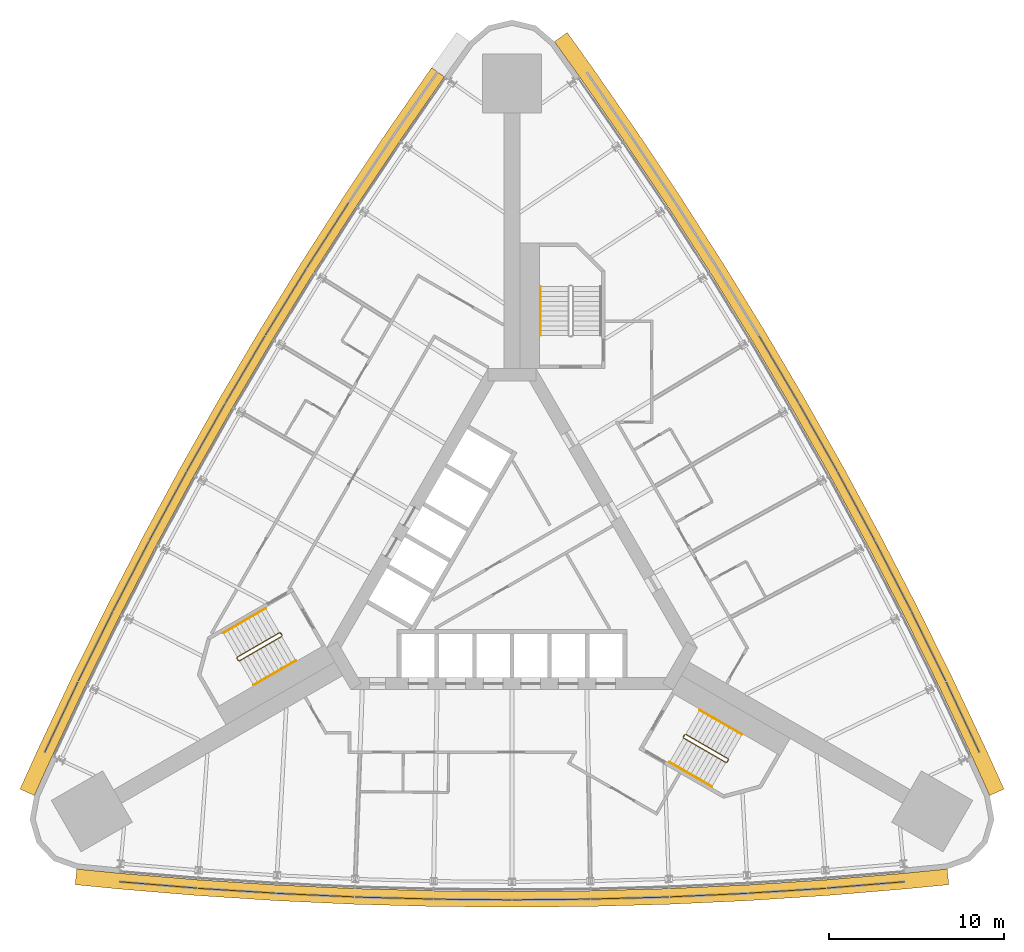
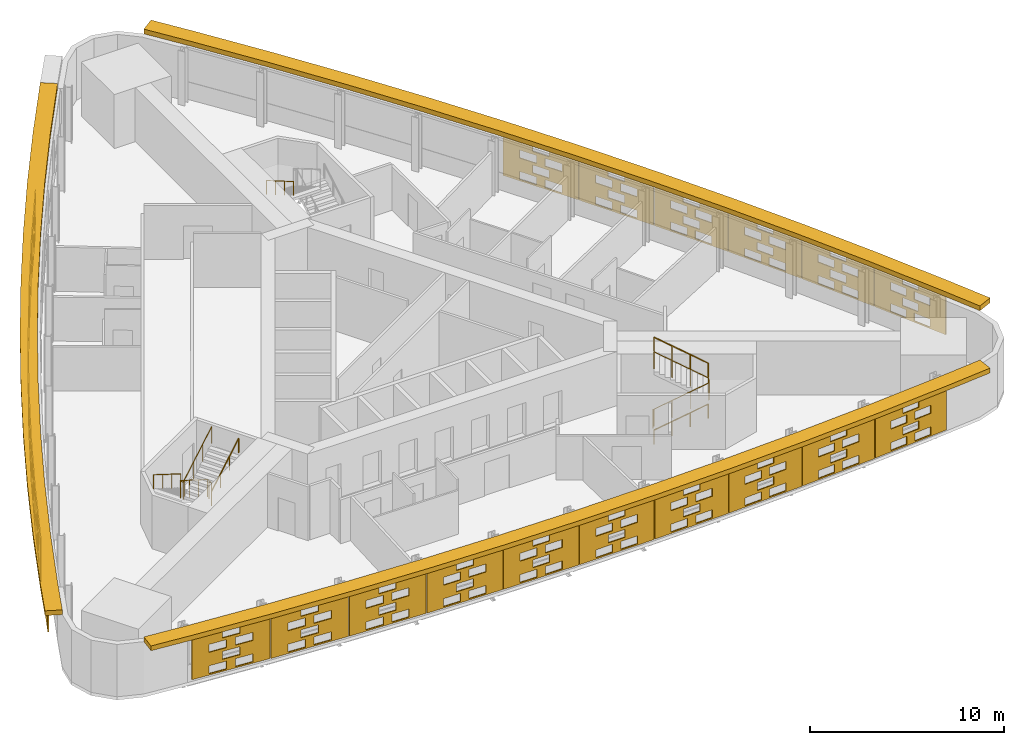
# One storey, part 14 of 15: 27 shading devices, 7 railings.
"""IFC4 building model written with IfcOpenShell, lengths in metres."""

from ifc_helpers import new_model, si_unit, direction, frame, origin, origin_2d, place, context, subcontext, project, spatial, polyline, circle, outline, extrude, material, material_profile, profile_set, type_object, element, save


model = new_model("IFC4")

# Units and contexts
model_context = context("Model", 3, precision=1e-05, world=origin(), true_north=direction((0.0, 1.0)))
body_context = subcontext(model_context, "Body", "Model", "MODEL_VIEW")
ifc_project = project(units=[si_unit("LENGTHUNIT", "METRE"), si_unit("AREAUNIT", "SQUARE_METRE"), si_unit("VOLUMEUNIT", "CUBIC_METRE"), si_unit("PLANEANGLEUNIT", "RADIAN"), si_unit("MASSUNIT", "GRAM", prefix="KILO")], contexts=[model_context])

# Site, building, storey
site_placement = place(None, origin())
site = spatial("IfcSite", under=ifc_project, at=site_placement, CompositionType="ELEMENT")
building_placement = place(site_placement, origin())
building = spatial("IfcBuilding", under=site, at=building_placement, Name="Noor Cloister Tower", CompositionType="ELEMENT")
storey_placement = place(building_placement, frame((0.0, 0.0, 31.199951171875)))
storey = spatial("IfcBuildingStorey", under=building, at=storey_placement, Name="L07", CompositionType="ELEMENT", Elevation=31.199951171875)

# Shading devices
ifc_material_1 = material(Name="Limestone", Category="masonry")
ifc_material_profile = material_profile(ifc_material_1, outline(polyline([(-2.22998046875, -1.35009765625), (2.22998046875, -1.35009765625), (2.22998046875, 1.35009765625), (-2.22998046875, 1.35009765625), (-2.22998046875, -1.35009765625)]), holes=[polyline([(-1.25, -1.263427734375), (-0.25, -1.263427734375), (-0.25, -0.76171875), (-1.25, -0.76171875), (-1.25, -1.263427734375)]), polyline([(0.25, -1.263427734375), (1.25, -1.263427734375), (1.25, -0.76171875), (0.25, -0.76171875), (0.25, -1.263427734375)]), polyline([(-0.5, -0.58837890625), (0.5, -0.58837890625), (0.5, -0.086669921875), (-0.5, -0.086669921875), (-0.5, -0.58837890625)]), polyline([(-1.25, 0.086669921875), (-0.25, 0.086669921875), (-0.25, 0.58837890625), (-1.25, 0.58837890625), (-1.25, 0.086669921875)]), polyline([(0.25, 0.086669921875), (1.25, 0.086669921875), (1.25, 0.58837890625), (0.25, 0.58837890625), (0.25, 0.086669921875)]), polyline([(-0.5, 0.76171875), (0.5, 0.76171875), (0.5, 1.263427734375), (-0.5, 1.263427734375), (-0.5, 0.76171875)])]), Name="Woven screen 25 percent open")
ifc_profile_set = profile_set([ifc_material_profile], Name="Limestone")
shading_device_type_1 = type_object("IfcShadingDeviceType", Name="SCREEN woven limestone 25 percent open", PredefinedType="USERDEFINED", material=ifc_profile_set)
for number, where, z_axis, x_axis, name in (
    (1, (-10.528076171875, 19.087646484375, 1.85009765625), (-0.841310503427, 0.540552159207, 0.0), (-0.540552159207, -0.841310503427, 0.0), "SCREEN L07 3"),
    (2, (-12.92529296875, 15.269775390625, 1.85009765625), (-0.852075986308, 0.523418105875, 0.0), (-0.523418105875, -0.852075986308, 0.0), "SCREEN L07 4"),
    (3, (-15.25146484375, 11.408203125, 1.85009765625), (-0.86141148773, 0.507907716822, 0.0), (-0.507907716822, -0.86141148773, 0.0), "SCREEN L07 5"),
    (4, (-17.505615234375, 7.504150390625, 1.85009765625), (-0.87048706901, 0.492191286683, 0.0), (-0.492191286683, -0.87048706901, 0.0), "SCREEN L07 6"),
    (5, (-19.686767578125, 3.558837890625, 1.85009765625), (-0.879291966537, 0.476283148541, 0.0), (-0.476283148541, -0.879291966537, 0.0), "SCREEN L07 7"),
    (6, (-21.79443359375, -0.42626953125, 1.85009765625), (-0.887816162103, 0.460198285861, 0.0), (-0.460198285861, -0.887816162103, 0.0), "SCREEN L07 8"),
    (7, (-23.827880859375, -4.44970703125, 1.85009765625), (-0.896050438544, 0.443952262733, 0.0), (-0.443952262733, -0.896050438544, 0.0), "SCREEN L07 9"),
    (8, (-25.7861328125, -8.51025390625, 1.85009765625), (-0.90398642908, 0.427561148889, 0.0), (-0.427561148889, -0.90398642908, 0.0), "SCREEN L07 10"),
    (9, (-20.26318359375, -18.076416015625, 1.85009765625), (-0.081362009455, -0.996684615823, 0.0), (0.996684615823, -0.081362009455, 0.0), "SCREEN L07 1"),
):
    element("IfcShadingDevice", number, at=place(storey_placement, frame(where, z_axis=z_axis, x_axis=x_axis)), inside=storey, type_object=shading_device_type_1, Name=name, ObjectType="SCREEN", PredefinedType="USERDEFINED", context=body_context, shape_type="SweptSolid", body=[
        extrude(outline(polyline([(-2.22998046875, -1.35009765625), (2.22998046875, -1.35009765625), (2.22998046875, 1.35009765625), (-2.22998046875, 1.35009765625), (-2.22998046875, -1.35009765625)]), holes=[polyline([(-1.25, -1.263427734375), (-0.25, -1.263427734375), (-0.25, -0.76171875), (-1.25, -0.76171875), (-1.25, -1.263427734375)]), polyline([(0.25, -1.263427734375), (1.25, -1.263427734375), (1.25, -0.76171875), (0.25, -0.76171875), (0.25, -1.263427734375)]), polyline([(-0.5, -0.58837890625), (0.5, -0.58837890625), (0.5, -0.086669921875), (-0.5, -0.086669921875), (-0.5, -0.58837890625)]), polyline([(-1.25, 0.086669921875), (-0.25, 0.086669921875), (-0.25, 0.58837890625), (-1.25, 0.58837890625), (-1.25, 0.086669921875)]), polyline([(0.25, 0.086669921875), (1.25, 0.086669921875), (1.25, 0.58837890625), (0.25, 0.58837890625), (0.25, 0.086669921875)]), polyline([(-0.5, 0.76171875), (0.5, 0.76171875), (0.5, 1.263427734375), (-0.5, 1.263427734375), (-0.5, 0.76171875)])]), origin(), (0.0, 0.0, 1.0), 0.06005859375),
    ])
shading_device_1_placement = place(storey_placement, frame((-15.767578125, -18.41064453125, 1.85009765625), z_axis=(-0.06111006328, -0.998131033565, 0.0), x_axis=(0.998131033565, -0.06111006328, 0.0)))
element("IfcShadingDevice", 10, at=shading_device_1_placement, inside=storey, type_object=shading_device_type_1, Name="SCREEN L07 2", ObjectType="SCREEN", PredefinedType="USERDEFINED", context=body_context, shape_type="SweptSolid", body=[
    extrude(outline(polyline([(-2.22998046875, -1.35009765625), (2.22998046875, -1.35009765625), (2.22998046875, 1.35009765625), (-2.22998046875, 1.35009765625), (-2.22998046875, -1.35009765625)]), holes=[polyline([(-1.25, -1.263427734375), (-0.25, -1.263427734375), (-0.25, -0.76171875), (-1.25, -0.76171875), (-1.25, -1.263427734375)]), polyline([(0.25, -1.263427734375), (1.25, -1.263427734375), (1.25, -0.76171875), (0.25, -0.76171875), (0.25, -1.263427734375)]), polyline([(-0.5, -0.58837890625), (0.5, -0.58837890625), (0.5, -0.086669921875), (-0.5, -0.086669921875), (-0.5, -0.58837890625)]), polyline([(-1.25, 0.086669921875), (-0.25, 0.086669921875), (-0.25, 0.58837890625), (-1.25, 0.58837890625), (-1.25, 0.086669921875)]), polyline([(0.25, 0.086669921875), (1.25, 0.086669921875), (1.25, 0.58837890625), (0.25, 0.58837890625), (0.25, 0.086669921875)]), polyline([(-0.5, 0.76171875), (0.5, 0.76171875), (0.5, 1.263427734375), (-0.5, 1.263427734375), (-0.5, 0.76171875)])]), origin(), (0.0, 0.0, 1.0), 0.059814453125),
])
for number, where, z_axis, x_axis, name in (
    (11, (-11.266357421875, -18.661376953125, 1.85009765625), (-0.044670810456, -0.999001761106, 0.0), (0.999001761106, -0.044670810456, 0.0), "SCREEN L07 3"),
    (12, (-6.761474609375, -18.82861328125, 1.85009765625), (-0.024382992455, -0.999702690643, 0.0), (0.999702690643, -0.024382992455, 0.0), "SCREEN L07 4"),
):
    element("IfcShadingDevice", number, at=place(storey_placement, frame(where, z_axis=z_axis, x_axis=x_axis)), inside=storey, type_object=shading_device_type_1, Name=name, ObjectType="SCREEN", PredefinedType="USERDEFINED", context=body_context, shape_type="SweptSolid", body=[
        extrude(outline(polyline([(-2.22998046875, -1.35009765625), (2.22998046875, -1.35009765625), (2.22998046875, 1.35009765625), (-2.22998046875, 1.35009765625), (-2.22998046875, -1.35009765625)]), holes=[polyline([(-1.25, -1.263427734375), (-0.25, -1.263427734375), (-0.25, -0.76171875), (-1.25, -0.76171875), (-1.25, -1.263427734375)]), polyline([(0.25, -1.263427734375), (1.25, -1.263427734375), (1.25, -0.76171875), (0.25, -0.76171875), (0.25, -1.263427734375)]), polyline([(-0.5, -0.58837890625), (0.5, -0.58837890625), (0.5, -0.086669921875), (-0.5, -0.086669921875), (-0.5, -0.58837890625)]), polyline([(-1.25, 0.086669921875), (-0.25, 0.086669921875), (-0.25, 0.58837890625), (-1.25, 0.58837890625), (-1.25, 0.086669921875)]), polyline([(0.25, 0.086669921875), (1.25, 0.086669921875), (1.25, 0.58837890625), (0.25, 0.58837890625), (0.25, 0.086669921875)]), polyline([(-0.5, 0.76171875), (0.5, 0.76171875), (0.5, 1.263427734375), (-0.5, 1.263427734375), (-0.5, 0.76171875)])]), origin(), (0.0, 0.0, 1.0), 0.06005859375),
    ])
for number, where, z_axis, x_axis, name in (
    (13, (-2.254150390625, -18.912353515625, 1.85009765625), (-0.008162993324, -0.999966682215, 0.0), (0.999966682215, -0.008162993324, 0.0), "SCREEN L07 5"),
    (14, (2.254150390625, -18.912353515625, 1.85009765625), (0.008162993324, -0.999966682215, 0.0), (0.999966682215, 0.008162993324, 0.0), "SCREEN L07 6"),
):
    element("IfcShadingDevice", number, at=place(storey_placement, frame(where, z_axis=z_axis, x_axis=x_axis)), inside=storey, type_object=shading_device_type_1, Name=name, ObjectType="SCREEN", PredefinedType="USERDEFINED", context=body_context, shape_type="SweptSolid", body=[
        extrude(outline(polyline([(-2.22998046875, -1.35009765625), (2.22998046875, -1.35009765625), (2.22998046875, 1.35009765625), (-2.22998046875, 1.35009765625), (-2.22998046875, -1.35009765625)]), holes=[polyline([(-1.25, -1.263427734375), (-0.25, -1.263427734375), (-0.25, -0.76171875), (-1.25, -0.76171875), (-1.25, -1.263427734375)]), polyline([(0.25, -1.263427734375), (1.25, -1.263427734375), (1.25, -0.76171875), (0.25, -0.76171875), (0.25, -1.263427734375)]), polyline([(-0.5, -0.58837890625), (0.5, -0.58837890625), (0.5, -0.086669921875), (-0.5, -0.086669921875), (-0.5, -0.58837890625)]), polyline([(-1.25, 0.086669921875), (-0.25, 0.086669921875), (-0.25, 0.58837890625), (-1.25, 0.58837890625), (-1.25, 0.086669921875)]), polyline([(0.25, 0.086669921875), (1.25, 0.086669921875), (1.25, 0.58837890625), (0.25, 0.58837890625), (0.25, 0.086669921875)]), polyline([(-0.5, 0.76171875), (0.5, 0.76171875), (0.5, 1.263427734375), (-0.5, 1.263427734375), (-0.5, 0.76171875)])]), origin(), (0.0, 0.0, 1.0), 0.059814453125),
    ])
for number, where, z_axis, x_axis, name in (
    (15, (6.761474609375, -18.82861328125, 1.85009765625), (0.024382992455, -0.999702690643, 0.0), (0.999702690643, 0.024382992455, 0.0), "SCREEN L07 7"),
    (16, (11.266357421875, -18.661376953125, 1.85009765625), (0.044670810456, -0.999001761106, 0.0), (0.999001761106, 0.044670810456, 0.0), "SCREEN L07 8"),
):
    element("IfcShadingDevice", number, at=place(storey_placement, frame(where, z_axis=z_axis, x_axis=x_axis)), inside=storey, type_object=shading_device_type_1, Name=name, ObjectType="SCREEN", PredefinedType="USERDEFINED", context=body_context, shape_type="SweptSolid", body=[
        extrude(outline(polyline([(-2.22998046875, -1.35009765625), (2.22998046875, -1.35009765625), (2.22998046875, 1.35009765625), (-2.22998046875, 1.35009765625), (-2.22998046875, -1.35009765625)]), holes=[polyline([(-1.25, -1.263427734375), (-0.25, -1.263427734375), (-0.25, -0.76171875), (-1.25, -0.76171875), (-1.25, -1.263427734375)]), polyline([(0.25, -1.263427734375), (1.25, -1.263427734375), (1.25, -0.76171875), (0.25, -0.76171875), (0.25, -1.263427734375)]), polyline([(-0.5, -0.58837890625), (0.5, -0.58837890625), (0.5, -0.086669921875), (-0.5, -0.086669921875), (-0.5, -0.58837890625)]), polyline([(-1.25, 0.086669921875), (-0.25, 0.086669921875), (-0.25, 0.58837890625), (-1.25, 0.58837890625), (-1.25, 0.086669921875)]), polyline([(0.25, 0.086669921875), (1.25, 0.086669921875), (1.25, 0.58837890625), (0.25, 0.58837890625), (0.25, 0.086669921875)]), polyline([(-0.5, 0.76171875), (0.5, 0.76171875), (0.5, 1.263427734375), (-0.5, 1.263427734375), (-0.5, 0.76171875)])]), origin(), (0.0, 0.0, 1.0), 0.06005859375),
    ])
shading_device_2_placement = place(storey_placement, frame((15.767578125, -18.41064453125, 1.85009765625), z_axis=(0.06111006328, -0.998131033565, 0.0), x_axis=(0.998131033565, 0.06111006328, 0.0)))
element("IfcShadingDevice", 17, at=shading_device_2_placement, inside=storey, type_object=shading_device_type_1, Name="SCREEN L07 9", ObjectType="SCREEN", PredefinedType="USERDEFINED", context=body_context, shape_type="SweptSolid", body=[
    extrude(outline(polyline([(-2.22998046875, -1.35009765625), (2.22998046875, -1.35009765625), (2.22998046875, 1.35009765625), (-2.22998046875, 1.35009765625), (-2.22998046875, -1.35009765625)]), holes=[polyline([(-1.25, -1.263427734375), (-0.25, -1.263427734375), (-0.25, -0.76171875), (-1.25, -0.76171875), (-1.25, -1.263427734375)]), polyline([(0.25, -1.263427734375), (1.25, -1.263427734375), (1.25, -0.76171875), (0.25, -0.76171875), (0.25, -1.263427734375)]), polyline([(-0.5, -0.58837890625), (0.5, -0.58837890625), (0.5, -0.086669921875), (-0.5, -0.086669921875), (-0.5, -0.58837890625)]), polyline([(-1.25, 0.086669921875), (-0.25, 0.086669921875), (-0.25, 0.58837890625), (-1.25, 0.58837890625), (-1.25, 0.086669921875)]), polyline([(0.25, 0.086669921875), (1.25, 0.086669921875), (1.25, 0.58837890625), (0.25, 0.58837890625), (0.25, 0.086669921875)]), polyline([(-0.5, 0.76171875), (0.5, 0.76171875), (0.5, 1.263427734375), (-0.5, 1.263427734375), (-0.5, 0.76171875)])]), origin(), (0.0, 0.0, 1.0), 0.059814453125),
])
for number, where, z_axis, x_axis, name in (
    (18, (20.26318359375, -18.076416015625, 1.85009765625), (0.081362009455, -0.996684615823, 0.0), (0.996684615823, 0.081362009455, 0.0), "SCREEN L07 10"),
    (19, (25.7861328125, -8.51025390625, 1.85009765625), (0.90398642908, 0.427561148889, 0.0), (-0.427561148889, 0.90398642908, 0.0), "SCREEN L07 1"),
    (20, (23.827880859375, -4.44970703125, 1.85009765625), (0.896050438544, 0.443952262733, 0.0), (-0.443952262733, 0.896050438544, 0.0), "SCREEN L07 2"),
    (21, (21.79443359375, -0.42626953125, 1.85009765625), (0.887816162103, 0.460198285861, 0.0), (-0.460198285861, 0.887816162103, 0.0), "SCREEN L07 3"),
    (22, (19.686767578125, 3.558837890625, 1.85009765625), (0.879291966537, 0.476283148541, 0.0), (-0.476283148541, 0.879291966537, 0.0), "SCREEN L07 4"),
    (23, (17.505615234375, 7.504150390625, 1.85009765625), (0.87048706901, 0.492191286683, 0.0), (-0.492191286683, 0.87048706901, 0.0), "SCREEN L07 5"),
    (24, (15.25146484375, 11.408203125, 1.85009765625), (0.86141148773, 0.507907716822, 0.0), (-0.507907716822, 0.86141148773, 0.0), "SCREEN L07 6"),
):
    element("IfcShadingDevice", number, at=place(storey_placement, frame(where, z_axis=z_axis, x_axis=x_axis)), inside=storey, type_object=shading_device_type_1, Name=name, ObjectType="SCREEN", PredefinedType="USERDEFINED", context=body_context, shape_type="SweptSolid", body=[
        extrude(outline(polyline([(-2.22998046875, -1.35009765625), (2.22998046875, -1.35009765625), (2.22998046875, 1.35009765625), (-2.22998046875, 1.35009765625), (-2.22998046875, -1.35009765625)]), holes=[polyline([(-1.25, -1.263427734375), (-0.25, -1.263427734375), (-0.25, -0.76171875), (-1.25, -0.76171875), (-1.25, -1.263427734375)]), polyline([(0.25, -1.263427734375), (1.25, -1.263427734375), (1.25, -0.76171875), (0.25, -0.76171875), (0.25, -1.263427734375)]), polyline([(-0.5, -0.58837890625), (0.5, -0.58837890625), (0.5, -0.086669921875), (-0.5, -0.086669921875), (-0.5, -0.58837890625)]), polyline([(-1.25, 0.086669921875), (-0.25, 0.086669921875), (-0.25, 0.58837890625), (-1.25, 0.58837890625), (-1.25, 0.086669921875)]), polyline([(0.25, 0.086669921875), (1.25, 0.086669921875), (1.25, 0.58837890625), (0.25, 0.58837890625), (0.25, 0.086669921875)]), polyline([(-0.5, 0.76171875), (0.5, 0.76171875), (0.5, 1.263427734375), (-0.5, 1.263427734375), (-0.5, 0.76171875)])]), origin(), (0.0, 0.0, 1.0), 0.06005859375),
    ])
ifc_material_2 = material(Name="Limestone", Category="masonry")
shading_device_type_2 = type_object("IfcShadingDeviceType", Name="SUNSHADE limestone band 900", PredefinedType="USERDEFINED", material=ifc_material_2)
shading_device_3_placement = place(storey_placement, frame((0.0, 0.0, 3.300048828125)))
element("IfcShadingDevice", 25, at=shading_device_3_placement, inside=storey, type_object=shading_device_type_2, Name="SUNSHADE L07 1", ObjectType="SUNSHADE", PredefinedType="USERDEFINED", context=body_context, shape_type="SweptSolid", body=[
    extrude(outline(polyline([(-4.60888671875, 28.691162109375), (-7.180908203125, 24.988525390625), (-9.688232421875, 21.231689453125), (-12.12548828125, 17.42919921875), (-14.491943359375, 13.58203125), (-16.786376953125, 9.691650390625), (-19.00830078125, 5.75927734375), (-21.156982421875, 1.786376953125), (-23.2314453125, -2.2255859375), (-25.231201171875, -6.275390625), (-27.154541015625, -10.35986328125), (-28.178466796875, -12.617919921875), (-27.35888671875, -12.989501953125), (-26.337646484375, -10.737548828125), (-24.42041015625, -6.66650390625), (-22.42822265625, -2.631591796875), (-20.361328125, 1.36572265625), (-18.220703125, 5.32373046875), (-16.0068359375, 9.24169921875), (-13.720947265625, 13.11767578125), (-11.36328125, 16.950439453125), (-8.93505859375, 20.739013671875), (-6.43701171875, 24.48193359375), (-3.869873046875, 28.177734375), (-4.60888671875, 28.691162109375)])), origin(), (0.0, 0.0, 1.0), 0.300048828125),
])
shading_device_4_placement = place(storey_placement, frame((0.0, 0.0, 3.300048828125)))
element("IfcShadingDevice", 26, at=shading_device_4_placement, inside=storey, type_object=shading_device_type_2, Name="SUNSHADE L07 2", ObjectType="SUNSHADE", PredefinedType="USERDEFINED", context=body_context, shape_type="SweptSolid", body=[
    extrude(outline(polyline([(-25.0166015625, -18.09423828125), (-22.54931640625, -18.336669921875), (-18.05029296875, -18.713134765625), (-13.543212890625, -19.006103515625), (-9.03125, -19.215576171875), (-4.516357421875, -19.34130859375), (0.0, -19.38330078125), (4.516357421875, -19.34130859375), (9.03125, -19.215576171875), (13.543212890625, -19.006103515625), (18.05029296875, -18.713134765625), (22.54931640625, -18.336669921875), (25.0166015625, -18.09423828125), (24.9287109375, -17.19873046875), (22.4677734375, -17.440185546875), (17.9833984375, -17.8154296875), (13.492919921875, -18.107421875), (8.998046875, -18.316162109375), (4.499755859375, -18.44140625), (0.0, -18.483154296875), (-4.499755859375, -18.44140625), (-8.998046875, -18.316162109375), (-13.492919921875, -18.107421875), (-17.9833984375, -17.8154296875), (-22.4677734375, -17.440185546875), (-24.9287109375, -17.19873046875), (-25.0166015625, -18.09423828125)])), origin(), (0.0, 0.0, 1.0), 0.300048828125),
])
shading_device_5_placement = place(storey_placement, frame((0.0, 0.0, 3.300048828125)))
element("IfcShadingDevice", 27, at=shading_device_5_placement, inside=storey, type_object=shading_device_type_2, Name="SUNSHADE L07 3", ObjectType="SUNSHADE", PredefinedType="USERDEFINED", context=body_context, shape_type="SweptSolid", body=[
    extrude(outline(polyline([(28.178466796875, -12.617919921875), (27.154541015625, -10.35986328125), (25.231201171875, -6.275390625), (23.2314453125, -2.2255859375), (21.156982421875, 1.786376953125), (19.00830078125, 5.75927734375), (16.786376953125, 9.691650390625), (14.491943359375, 13.58203125), (12.12548828125, 17.42919921875), (9.688232421875, 21.231689453125), (7.180908203125, 24.988525390625), (4.605224609375, 28.696533203125), (3.161865234375, 30.712158203125), (2.43017578125, 30.188232421875), (3.869873046875, 28.177734375), (6.43701171875, 24.48193359375), (8.93505859375, 20.739013671875), (11.36328125, 16.950439453125), (13.720947265625, 13.11767578125), (16.0068359375, 9.24169921875), (18.220703125, 5.32373046875), (20.361328125, 1.36572265625), (22.42822265625, -2.631591796875), (24.42041015625, -6.66650390625), (26.337646484375, -10.737548828125), (27.35888671875, -12.989501953125), (28.178466796875, -12.617919921875)])), origin(), (0.0, 0.0, 1.0), 0.300048828125),
])

# Railings
ifc_material_3 = material(Name="Stainless steel", Category="steel")
railing_type_1 = type_object("IfcRailingType", Name="Stair guard 1100", PredefinedType="GUARDRAIL", material=ifc_material_3)
railing_1_placement = place(storey_placement, frame((-13.241455078125, -3.677734375, 0.0)))
element("IfcRailing", 28, at=railing_1_placement, inside=storey, type_object=railing_type_1, Name="Stair guard ST2 L07", PredefinedType="GUARDRAIL", context=body_context, shape_type="SweptSolid", body=[
    extrude(circle(Radius=0.02392578125, at=origin_2d()), frame((0.0, 0.0, 1.076171875), z_axis=(0.499112439033, -0.866537231285, 0.0), x_axis=(0.866537231285, 0.499112439033, 0.0)), (0.0, 0.0, 1.0), 0.150146484375),
    extrude(circle(Radius=0.02392578125, at=origin_2d()), frame((0.074951171875, -0.130126953125, 1.076171875), z_axis=(-0.544565797804, 0.563119998752, 0.621565731736), x_axis=(-0.718850276695, -0.695164929852, 0.0)), (0.0, 0.0, 1.0), 0.26318359375),
    extrude(circle(Radius=0.02392578125, at=origin_2d()), frame((-0.068359375, 0.01806640625, 1.23974609375), z_axis=(-0.747689811644, -0.431660630283, 0.504607813879), x_axis=(0.49998411664, -0.866034573852, 0.0)), (0.0, 0.0, 1.0), 3.2431640625),
    extrude(circle(Radius=0.02392578125, at=origin_2d()), frame((-2.4931640625, -1.3818359375, 2.8759765625), z_axis=(-0.258736085224, -0.965948051503, 0.0), x_axis=(0.965948051503, -0.258736085224, 0.0)), (0.0, 0.0, 1.0), 0.07080078125),
    extrude(circle(Radius=0.02392578125, at=origin_2d()), frame((-2.511474609375, -1.4501953125, 2.8759765625), z_axis=(0.499816412211, -0.866131372301, 0.0), x_axis=(0.866131372301, 0.499816412211, 0.0)), (0.0, 0.0, 1.0), 0.14990234375),
    extrude(circle(Radius=0.02392578125, at=origin_2d()), frame((-2.4365234375, -1.580078125, 2.8759765625), z_axis=(0.383552647116, -0.102737316192, 0.917786691313), x_axis=(0.258736085224, 0.965948051503, 0.0)), (0.0, 0.0, 1.0), 0.17822265625),
    extrude(circle(Radius=0.02392578125, at=origin_2d()), frame((-2.3681640625, -1.598388671875, 3.03955078125), z_axis=(0.747665513933, 0.431721881032, 0.504591415616), x_axis=(-0.500049511043, 0.865996816683, 0.0)), (0.0, 0.0, 1.0), 3.2431640625),
    extrude(circle(Radius=0.02099609375, at=origin_2d()), origin(), (0.0, 0.0, 1.0), 1.052001953125),
    extrude(circle(Radius=0.02099609375, at=origin_2d()), frame((0.074951171875, -0.130126953125, 0.0)), (0.0, 0.0, 1.0), 1.052001953125),
    extrude(circle(Radius=0.02099609375, at=origin_2d()), frame((-0.068359375, 0.01806640625, 0.16357421875)), (0.0, 0.0, 1.0), 1.052001953125),
    extrude(circle(Radius=0.02099609375, at=origin_2d()), frame((-0.876708984375, -0.448486328125, 0.708984375)), (0.0, 0.0, 1.0), 1.052001953125),
    extrude(circle(Radius=0.02099609375, at=origin_2d()), frame((-1.684814453125, -0.915283203125, 1.254638671875)), (0.0, 0.0, 1.0), 1.052001953125),
    extrude(circle(Radius=0.02099609375, at=origin_2d()), frame((-2.4931640625, -1.3818359375, 1.800048828125)), (0.0, 0.0, 1.0), 1.052001953125),
    extrude(circle(Radius=0.02099609375, at=origin_2d()), frame((-2.511474609375, -1.4501953125, 1.800048828125)), (0.0, 0.0, 1.0), 1.052001953125),
    extrude(circle(Radius=0.02099609375, at=origin_2d()), frame((-2.4365234375, -1.580078125, 1.800048828125)), (0.0, 0.0, 1.0), 1.052001953125),
    extrude(circle(Radius=0.02099609375, at=origin_2d()), frame((-2.3681640625, -1.598388671875, 1.963623046875)), (0.0, 0.0, 1.0), 1.052001953125),
    extrude(circle(Radius=0.02099609375, at=origin_2d()), frame((-1.559814453125, -1.131591796875, 2.509033203125)), (0.0, 0.0, 1.0), 1.052001953125),
    extrude(circle(Radius=0.02099609375, at=origin_2d()), frame((-0.751708984375, -0.6650390625, 3.0546875)), (0.0, 0.0, 1.0), 1.052001953125),
    extrude(circle(Radius=0.02099609375, at=origin_2d()), frame((0.056640625, -0.1982421875, 3.60009765625)), (0.0, 0.0, 1.0), 1.052001953125),
])
railing_2_placement = place(storey_placement, frame((9.805908203125, -9.628662109375, 0.0)))
element("IfcRailing", 29, at=railing_2_placement, inside=storey, type_object=railing_type_1, Name="Stair guard ST3 L07", PredefinedType="GUARDRAIL", context=body_context, shape_type="SweptSolid", body=[
    extrude(circle(Radius=0.02392578125, at=origin_2d()), frame((0.0, 0.0, 1.076171875), z_axis=(0.499112439033, 0.866537231285, 0.0), x_axis=(-0.866537231285, 0.499112439033, 0.0)), (0.0, 0.0, 1.0), 0.150146484375),
    extrude(circle(Radius=0.02392578125, at=origin_2d()), frame((0.074951171875, 0.130126953125, 1.076171875), z_axis=(-0.215214839654, -0.753251938789, 0.621525614518), x_axis=(0.961523947641, -0.274721127897, 0.0)), (0.0, 0.0, 1.0), 0.26318359375),
    extrude(circle(Radius=0.02392578125, at=origin_2d()), frame((0.018310546875, -0.068115234375, 1.23974609375), z_axis=(0.747665513933, -0.431721881032, 0.504591415616), x_axis=(0.500049511043, 0.865996816683, 0.0)), (0.0, 0.0, 1.0), 3.2431640625),
    extrude(circle(Radius=0.02392578125, at=origin_2d()), frame((2.443115234375, -1.46826171875, 2.8759765625), z_axis=(0.965948051503, 0.258736085224, 0.0), x_axis=(-0.258736085224, 0.965948051503, 0.0)), (0.0, 0.0, 1.0), 0.07080078125),
    extrude(circle(Radius=0.02392578125, at=origin_2d()), frame((2.511474609375, -1.449951171875, 2.8759765625), z_axis=(0.499816412211, 0.866131372301, 0.0), x_axis=(-0.866131372301, 0.499816412211, 0.0)), (0.0, 0.0, 1.0), 0.14990234375),
    extrude(circle(Radius=0.02392578125, at=origin_2d()), frame((2.58642578125, -1.320068359375, 2.8759765625), z_axis=(-0.102737316192, 0.383552647116, 0.917786691313), x_axis=(-0.965948051503, -0.258736085224, 0.0)), (0.0, 0.0, 1.0), 0.17822265625),
    extrude(circle(Radius=0.02392578125, at=origin_2d()), frame((2.568115234375, -1.251708984375, 3.03955078125), z_axis=(-0.747689811644, 0.431660630283, 0.504607813879), x_axis=(-0.49998411664, -0.866034573852, 0.0)), (0.0, 0.0, 1.0), 3.2431640625),
    extrude(circle(Radius=0.02099609375, at=origin_2d()), origin(), (0.0, 0.0, 1.0), 1.052001953125),
    extrude(circle(Radius=0.02099609375, at=origin_2d()), frame((0.074951171875, 0.130126953125, 0.0)), (0.0, 0.0, 1.0), 1.052001953125),
    extrude(circle(Radius=0.02099609375, at=origin_2d()), frame((0.018310546875, -0.068115234375, 0.16357421875)), (0.0, 0.0, 1.0), 1.052001953125),
    extrude(circle(Radius=0.02099609375, at=origin_2d()), frame((0.82666015625, -0.534912109375, 0.708984375)), (0.0, 0.0, 1.0), 1.052001953125),
    extrude(circle(Radius=0.02099609375, at=origin_2d()), frame((1.634765625, -1.00146484375, 1.254638671875)), (0.0, 0.0, 1.0), 1.052001953125),
    extrude(circle(Radius=0.02099609375, at=origin_2d()), frame((2.443115234375, -1.46826171875, 1.800048828125)), (0.0, 0.0, 1.0), 1.052001953125),
    extrude(circle(Radius=0.02099609375, at=origin_2d()), frame((2.511474609375, -1.449951171875, 1.800048828125)), (0.0, 0.0, 1.0), 1.052001953125),
    extrude(circle(Radius=0.02099609375, at=origin_2d()), frame((2.58642578125, -1.320068359375, 1.800048828125)), (0.0, 0.0, 1.0), 1.052001953125),
    extrude(circle(Radius=0.02099609375, at=origin_2d()), frame((2.568115234375, -1.251708984375, 1.963623046875)), (0.0, 0.0, 1.0), 1.052001953125),
    extrude(circle(Radius=0.02099609375, at=origin_2d()), frame((1.759765625, -0.78515625, 2.509033203125)), (0.0, 0.0, 1.0), 1.052001953125),
    extrude(circle(Radius=0.02099609375, at=origin_2d()), frame((0.95166015625, -0.318359375, 3.0546875)), (0.0, 0.0, 1.0), 1.052001953125),
    extrude(circle(Radius=0.02099609375, at=origin_2d()), frame((0.143310546875, 0.148193359375, 3.60009765625)), (0.0, 0.0, 1.0), 1.052001953125),
])
ifc_material_4 = material(Name="Stainless steel", Category="steel")
railing_type_2 = type_object("IfcRailingType", Name="Stair handrail 900", PredefinedType="HANDRAIL", material=ifc_material_4)
railing_3_placement = place(storey_placement, frame((1.6357421875, 16.156494140625, 1.963623046875)))
element("IfcRailing", 30, at=railing_3_placement, inside=storey, type_object=railing_type_2, Name="Stair handrail ST1 L07 2", PredefinedType="HANDRAIL", context=body_context, shape_type="SweptSolid", body=[
    extrude(circle(Radius=0.02392578125, at=origin_2d()), frame((0.0, 0.0, 0.8759765625), z_axis=(0.0, -0.863360870873, 0.504586966384), x_axis=(1.0, 0.0, 0.0)), (0.0, 0.0, 1.0), 3.2431640625),
    extrude(circle(Radius=0.02099609375, at=origin_2d()), origin(), (0.0, 0.0, 1.0), 0.851806640625),
    extrude(circle(Radius=0.02099609375, at=origin_2d()), frame((0.0, -0.933349609375, 0.54541015625)), (0.0, 0.0, 1.0), 0.851806640625),
    extrude(circle(Radius=0.02099609375, at=origin_2d()), frame((0.0, -1.86669921875, 1.091064453125)), (0.0, 0.0, 1.0), 0.851806640625),
    extrude(circle(Radius=0.02099609375, at=origin_2d()), frame((0.0, -2.800048828125, 1.636474609375)), (0.0, 0.0, 1.0), 0.851806640625),
])
railing_4_placement = place(storey_placement, frame((-14.10986328125, -2.27392578125, 0.16357421875)))
element("IfcRailing", 31, at=railing_4_placement, inside=storey, type_object=railing_type_2, Name="Stair handrail ST2 L07 1", PredefinedType="HANDRAIL", context=body_context, shape_type="SweptSolid", body=[
    extrude(circle(Radius=0.02392578125, at=origin_2d()), frame((0.0, 0.0, 0.8759765625), z_axis=(-0.747689811644, -0.431660630283, 0.504607813879), x_axis=(0.49998411664, -0.866034573852, 0.0)), (0.0, 0.0, 1.0), 3.2431640625),
    extrude(circle(Radius=0.02099609375, at=origin_2d()), origin(), (0.0, 0.0, 1.0), 0.851806640625),
    extrude(circle(Radius=0.02099609375, at=origin_2d()), frame((-0.808349609375, -0.466552734375, 0.54541015625)), (0.0, 0.0, 1.0), 0.851806640625),
    extrude(circle(Radius=0.02099609375, at=origin_2d()), frame((-1.616455078125, -0.933349609375, 1.091064453125)), (0.0, 0.0, 1.0), 0.851806640625),
    extrude(circle(Radius=0.02099609375, at=origin_2d()), frame((-2.4248046875, -1.39990234375, 1.636474609375)), (0.0, 0.0, 1.0), 0.851806640625),
])
railing_5_placement = place(storey_placement, frame((-14.8095703125, -6.66162109375, 1.963623046875)))
element("IfcRailing", 32, at=railing_5_placement, inside=storey, type_object=railing_type_2, Name="Stair handrail ST2 L07 2", PredefinedType="HANDRAIL", context=body_context, shape_type="SweptSolid", body=[
    extrude(circle(Radius=0.02392578125, at=origin_2d()), frame((0.0, 0.0, 0.8759765625), z_axis=(0.747689811644, 0.431660630283, 0.504607813879), x_axis=(-0.49998411664, 0.866034573852, 0.0)), (0.0, 0.0, 1.0), 3.2431640625),
    extrude(circle(Radius=0.02099609375, at=origin_2d()), origin(), (0.0, 0.0, 1.0), 0.851806640625),
    extrude(circle(Radius=0.02099609375, at=origin_2d()), frame((0.808349609375, 0.466552734375, 0.54541015625)), (0.0, 0.0, 1.0), 0.851806640625),
    extrude(circle(Radius=0.02099609375, at=origin_2d()), frame((1.616455078125, 0.933349609375, 1.091064453125)), (0.0, 0.0, 1.0), 0.851806640625),
    extrude(circle(Radius=0.02099609375, at=origin_2d()), frame((2.4248046875, 1.39990234375, 1.636474609375)), (0.0, 0.0, 1.0), 0.851806640625),
])
railing_6_placement = place(storey_placement, frame((9.024169921875, -11.08251953125, 0.16357421875)))
element("IfcRailing", 33, at=railing_6_placement, inside=storey, type_object=railing_type_2, Name="Stair handrail ST3 L07 1", PredefinedType="HANDRAIL", context=body_context, shape_type="SweptSolid", body=[
    extrude(circle(Radius=0.02392578125, at=origin_2d()), frame((0.0, 0.0, 0.8759765625), z_axis=(0.747689811644, -0.431660630283, 0.504607813879), x_axis=(0.49998411664, 0.866034573852, 0.0)), (0.0, 0.0, 1.0), 3.2431640625),
    extrude(circle(Radius=0.02099609375, at=origin_2d()), origin(), (0.0, 0.0, 1.0), 0.851806640625),
    extrude(circle(Radius=0.02099609375, at=origin_2d()), frame((0.808349609375, -0.466552734375, 0.54541015625)), (0.0, 0.0, 1.0), 0.851806640625),
    extrude(circle(Radius=0.02099609375, at=origin_2d()), frame((1.616455078125, -0.933349609375, 1.091064453125)), (0.0, 0.0, 1.0), 0.851806640625),
    extrude(circle(Radius=0.02099609375, at=origin_2d()), frame((2.4248046875, -1.39990234375, 1.636474609375)), (0.0, 0.0, 1.0), 0.851806640625),
])
railing_7_placement = place(storey_placement, frame((13.174072265625, -9.49462890625, 1.963623046875)))
element("IfcRailing", 34, at=railing_7_placement, inside=storey, type_object=railing_type_2, Name="Stair handrail ST3 L07 2", PredefinedType="HANDRAIL", context=body_context, shape_type="SweptSolid", body=[
    extrude(circle(Radius=0.02392578125, at=origin_2d()), frame((0.0, 0.0, 0.8759765625), z_axis=(-0.747689811644, 0.431660630283, 0.504607813879), x_axis=(-0.49998411664, -0.866034573852, 0.0)), (0.0, 0.0, 1.0), 3.2431640625),
    extrude(circle(Radius=0.02099609375, at=origin_2d()), origin(), (0.0, 0.0, 1.0), 0.851806640625),
    extrude(circle(Radius=0.02099609375, at=origin_2d()), frame((-0.808349609375, 0.466552734375, 0.54541015625)), (0.0, 0.0, 1.0), 0.851806640625),
    extrude(circle(Radius=0.02099609375, at=origin_2d()), frame((-1.616455078125, 0.933349609375, 1.091064453125)), (0.0, 0.0, 1.0), 0.851806640625),
    extrude(circle(Radius=0.02099609375, at=origin_2d()), frame((-2.4248046875, 1.39990234375, 1.636474609375)), (0.0, 0.0, 1.0), 0.851806640625),
])

save(model, "model.ifc")
